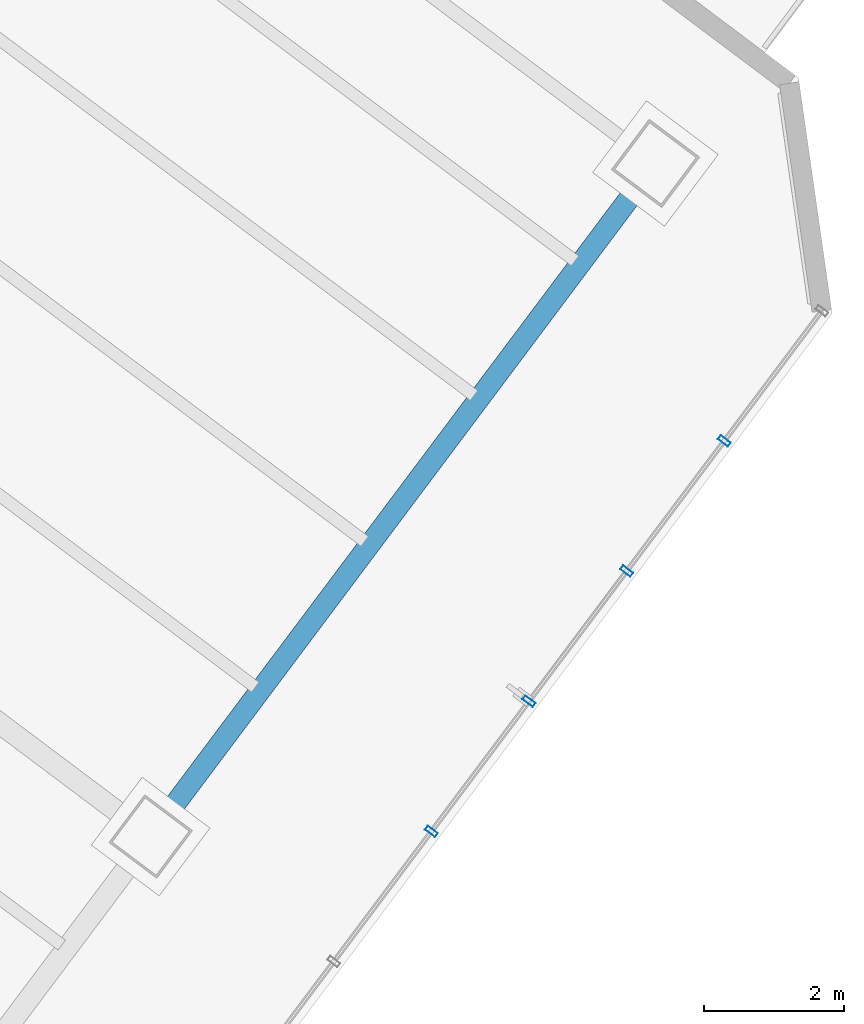
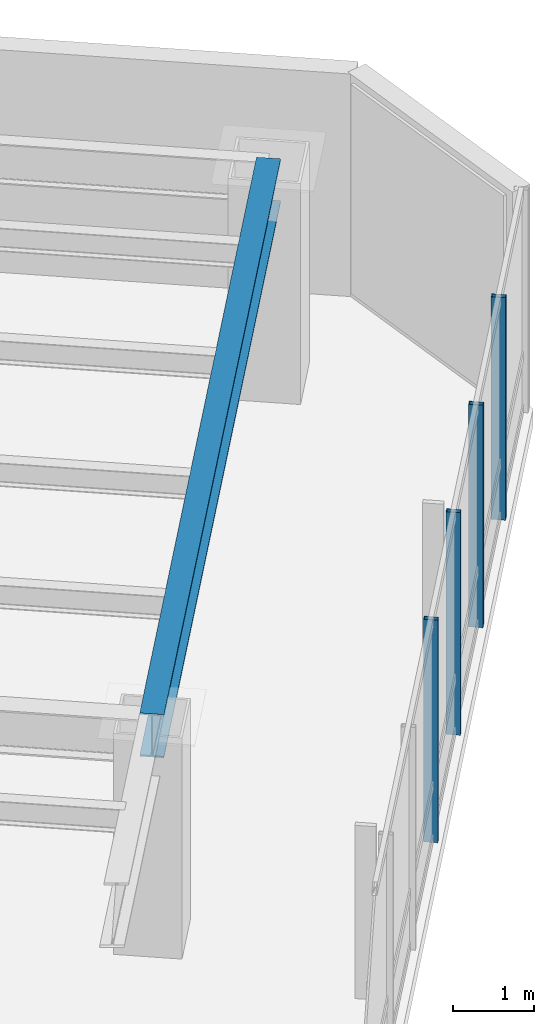
# One storey, part 10 of 29: 4 members, 1 beam, 1 element without a shape of its own.
"""IFC4 building model written with IfcOpenShell, lengths in metres."""

from ifc_helpers import new_model, si_unit, direction, frame, origin, origin_2d, place, context, subcontext, project, spatial, hollow_rectangle, i_section, extrude, material, layer, layer_set, material_profile, profile_set, type_object, element, aggregate, save


model = new_model("IFC4")

# Units and contexts
model_context = context("Model", 3, precision=1e-05, world=origin(), true_north=direction((0.0, 1.0)))
body_context = subcontext(model_context, "Body", "Model", "MODEL_VIEW")
ifc_project = project(units=[si_unit("LENGTHUNIT", "METRE"), si_unit("AREAUNIT", "SQUARE_METRE"), si_unit("VOLUMEUNIT", "CUBIC_METRE"), si_unit("PLANEANGLEUNIT", "RADIAN"), si_unit("MASSUNIT", "GRAM", prefix="KILO")], contexts=[model_context])

# Site, building, storey
site_placement = place(None, origin())
site = spatial("IfcSite", under=ifc_project, at=site_placement, CompositionType="ELEMENT")
building_placement = place(site_placement, origin())
building = spatial("IfcBuilding", under=site, at=building_placement, Name="Hatsunagi Terrace Concourse", CompositionType="ELEMENT")
storey_placement = place(building_placement, frame((0.0, 0.0, 126.449951171875)))
storey = spatial("IfcBuildingStorey", under=building, at=storey_placement, Name="L33", CompositionType="ELEMENT", Elevation=126.449951171875)

# Curtain wall, members
ifc_material_1 = material(Name="Anodised Aluminium Alloy 6063-T5", Category="aluminium")
ifc_layer = layer(ifc_material_1, 0.199951171875)
ifc_layer_set = layer_set([ifc_layer], Name="OfficeZone1_CW03")
curtain_wall_type = type_object("IfcCurtainWallType", Name="OfficeZone1_CW03", PredefinedType="NOTDEFINED", material=ifc_layer_set)
curtain_wall_placement = place(storey_placement, origin())
curtain_wall = element("IfcCurtainWall", 1, at=curtain_wall_placement, inside=storey, type_object=curtain_wall_type, Name="Unitised Curtain Wall CW-03 CW-L33-03", PredefinedType="NOTDEFINED")
ifc_material_2 = material(Name="Anodised Aluminium Alloy 6063-T5", Category="aluminium")
ifc_material_profile_1 = material_profile(ifc_material_2, hollow_rectangle(XDim=0.070068359375, YDim=0.179931640625, WallThickness=0.00390625, at=origin_2d()), Name="ALU-MUL-180x70x4")
ifc_profile_set_1 = profile_set([ifc_material_profile_1], Name="Anodised Aluminium Alloy 6063-T5")
member_type = type_object("IfcMemberType", Name="CurtainWallMullion_180x70", PredefinedType="MULLION", material=ifc_profile_set_1)
member_1_placement = place(storey_placement, frame((67.700927734375, 17.802001953125, 0.0), z_axis=(0.0, 0.0, 1.0), x_axis=(-0.599969314634, -0.800023013105, 0.0)))
member_1 = element("IfcMember", 2, at=member_1_placement, type_object=member_type, Name="Curtain Wall Mullion MUL-02", PredefinedType="MULLION", context=body_context, shape_type="SweptSolid", body=[
    extrude(hollow_rectangle(XDim=0.070068359375, YDim=0.179931640625, WallThickness=0.00390625, at=origin_2d()), origin(), (0.0, 0.0, 1.0), 3.340087890625),
])
member_2_placement = place(storey_placement, frame((66.30908203125, 15.945068359375, 0.0), z_axis=(0.0, 0.0, 1.0), x_axis=(-0.599969314634, -0.800023013105, 0.0)))
member_2 = element("IfcMember", 3, at=member_2_placement, type_object=member_type, Name="Curtain Wall Mullion MUL-02", PredefinedType="MULLION", context=body_context, shape_type="SweptSolid", body=[
    extrude(hollow_rectangle(XDim=0.070068359375, YDim=0.179931640625, WallThickness=0.00390625, at=origin_2d()), origin(), (0.0, 0.0, 1.0), 3.340087890625),
])
member_3_placement = place(storey_placement, frame((64.916015625, 14.089111328125, 0.0), z_axis=(0.0, 0.0, 1.0), x_axis=(-0.599969314634, -0.800023013105, 0.0)))
member_3 = element("IfcMember", 4, at=member_3_placement, type_object=member_type, Name="Curtain Wall Mullion MUL-02", PredefinedType="MULLION", context=body_context, shape_type="SweptSolid", body=[
    extrude(hollow_rectangle(XDim=0.070068359375, YDim=0.179931640625, WallThickness=0.00390625, at=origin_2d()), origin(), (0.0, 0.0, 1.0), 3.340087890625),
])
member_4_placement = place(storey_placement, frame((63.52392578125, 12.23193359375, 0.0), z_axis=(0.0, 0.0, 1.0), x_axis=(-0.599969314634, -0.800023013105, 0.0)))
member_4 = element("IfcMember", 5, at=member_4_placement, type_object=member_type, Name="Curtain Wall Mullion MUL-02", PredefinedType="MULLION", context=body_context, shape_type="SweptSolid", body=[
    extrude(hollow_rectangle(XDim=0.070068359375, YDim=0.179931640625, WallThickness=0.00390625, at=origin_2d()), origin(), (0.0, 0.0, 1.0), 3.340087890625),
])
aggregate(curtain_wall, [member_1, member_2, member_3, member_4])

# Beam
ifc_material_3 = material(Name="Steel SN490B", Category="steel")
ifc_material_profile_2 = material_profile(ifc_material_3, i_section(OverallWidth=0.300048828125, OverallDepth=0.64990234375, WebThickness=0.012939453125, FlangeThickness=0.02197265625, FilletRadius=0.01806640625, at=origin_2d()), Name="H-650x300x13x22")
ifc_profile_set_2 = profile_set([ifc_material_profile_2], Name="Steel SN490B")
beam_type = type_object("IfcBeamType", Name="OfficeLowGirder_H_650x300", PredefinedType="BEAM", material=ifc_profile_set_2)
beam_placement = place(storey_placement, frame((59.52001953125, 12.159912109375, 3.025146484375), z_axis=(0.59999348959, 0.800004882766, 0.0), x_axis=(-0.800004882766, 0.59999348959, 0.0)))
element("IfcBeam", 6, at=beam_placement, inside=storey, type_object=beam_type, Name="Beam G-05 BM-L33-SET-3B", PredefinedType="BEAM", context=body_context, shape_type="SweptSolid", body=[
    extrude(i_section(OverallWidth=0.300048828125, OverallDepth=0.64990234375, WebThickness=0.012939453125, FlangeThickness=0.02197265625, FilletRadius=0.01806640625, at=origin_2d()), origin(), (0.0, 0.0, 1.0), 12.0),
])

save(model, "model.ifc")
